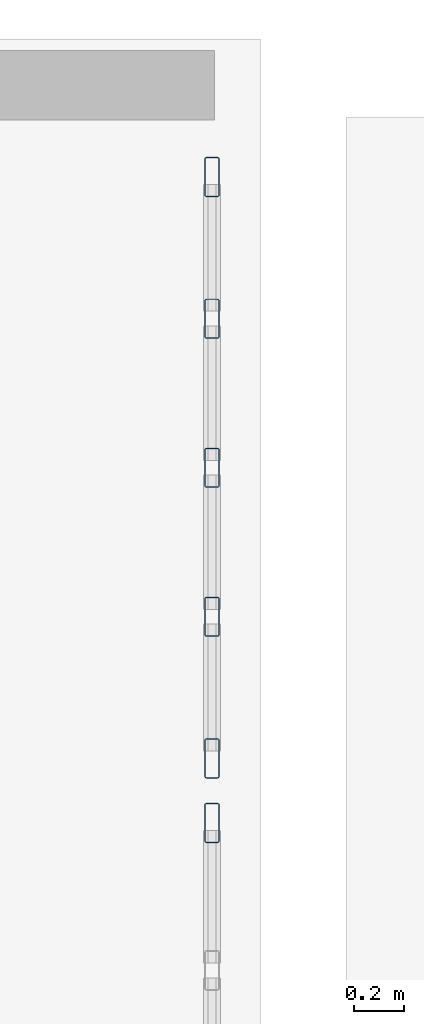
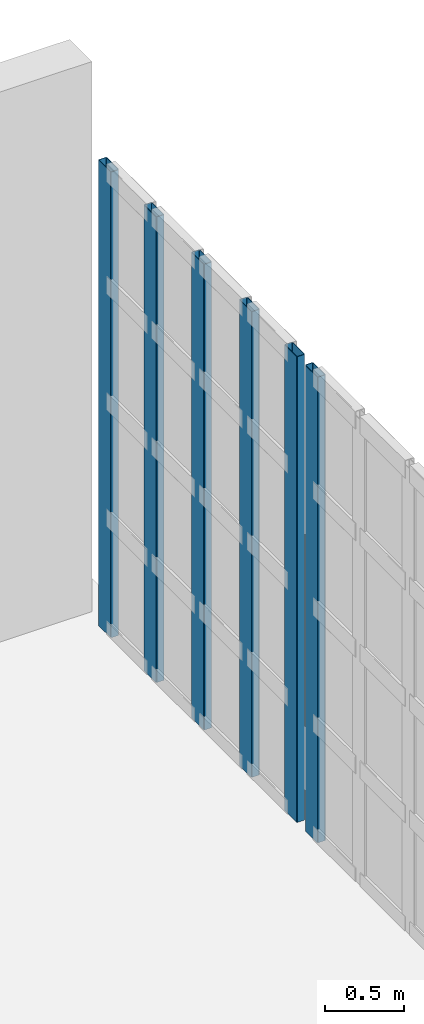
# One storey, part 18 of 56: 6 members, 2 elements without a shape of their own.
"""IFC4 building model written with IfcOpenShell, lengths in metres."""

from ifc_helpers import new_model, si_unit, direction, frame, origin, origin_2d, place, context, subcontext, project, spatial, hollow_rectangle, extrude, material, material_profile, profile_set, type_object, element, aggregate, save


model = new_model("IFC4")

# Units and contexts
model_context = context("Model", 3, precision=1e-05, world=origin(), true_north=direction((0.0, 1.0)))
body_context = subcontext(model_context, "Body", "Model", "MODEL_VIEW")
ifc_project = project(units=[si_unit("LENGTHUNIT", "METRE"), si_unit("AREAUNIT", "SQUARE_METRE"), si_unit("VOLUMEUNIT", "CUBIC_METRE"), si_unit("PLANEANGLEUNIT", "RADIAN"), si_unit("MASSUNIT", "GRAM", prefix="KILO")], contexts=[model_context])

# Site, building, storey
site_placement = place(None, origin())
site = spatial("IfcSite", under=ifc_project, at=site_placement, CompositionType="ELEMENT")
building_placement = place(site_placement, origin())
building = spatial("IfcBuilding", under=site, at=building_placement, Name="Kaelora Sail Theatre", CompositionType="ELEMENT")
storey_placement = place(building_placement, frame((0.0, 0.0, 14.699951171875)))
storey = spatial("IfcBuildingStorey", under=building, at=storey_placement, Name="L03", CompositionType="ELEMENT", Elevation=14.699951171875)

# Curtain wall, member
ifc_material_1 = material(Name="Anodised aluminium and solar-control low-E IGU", Category="aluminium")
curtain_wall_type = type_object("IfcCurtainWallType", Name="ARC-CW-CW-BRG", PredefinedType="NOTDEFINED", material=ifc_material_1)
curtain_wall_1_placement = place(storey_placement, origin())
curtain_wall_1 = element("IfcCurtainWall", 1, at=curtain_wall_1_placement, inside=storey, type_object=curtain_wall_type, Name="Glazed Colonnade/Courtyard Curtain Wall FC1-STEP-E-L03-03", PredefinedType="NOTDEFINED")
ifc_material_2 = material(Name="Anodised aluminium 6063-T6", Category="aluminium")
ifc_material_profile = material_profile(ifc_material_2, hollow_rectangle(XDim=0.06005859375, YDim=0.159912109375, WallThickness=0.00390625, InnerFilletRadius=0.00390625, OuterFilletRadius=0.008056640625, at=origin_2d()), Name="ALU-MULL 60x160x4")
ifc_profile_set = profile_set([ifc_material_profile], Name="Anodised aluminium 6063-T6")
member_type = type_object("IfcMemberType", Name="ARC-MEM-ML-160", PredefinedType="MULLION", material=ifc_profile_set)
member_1_placement = place(storey_placement, frame((90.389892578125, 80.169921875, 0.0), z_axis=(0.0, 0.0, 1.0), x_axis=(-1.0, 0.0, 0.0)))
member_1 = element("IfcMember", 2, at=member_1_placement, type_object=member_type, Name="CW-BRG mullion 7", PredefinedType="MULLION", context=body_context, shape_type="SweptSolid", body=[
    extrude(hollow_rectangle(XDim=0.06005859375, YDim=0.159912109375, WallThickness=0.00390625, InnerFilletRadius=0.00390625, OuterFilletRadius=0.008056640625, at=origin_2d()), origin(), (0.0, 0.0, 1.0), 3.5771484375),
])
aggregate(curtain_wall_1, [member_1])

# Curtain wall, members
curtain_wall_2_placement = place(storey_placement, origin())
curtain_wall_2 = element("IfcCurtainWall", 3, at=curtain_wall_2_placement, inside=storey, type_object=curtain_wall_type, Name="Glazed Colonnade/Courtyard Curtain Wall FC1-STEP-E-L03-04", PredefinedType="NOTDEFINED")
member_2_placement = place(storey_placement, frame((90.389892578125, 80.429931640625, 0.0), z_axis=(0.0, 0.0, 1.0), x_axis=(-1.0, 0.0, 0.0)))
member_2 = element("IfcMember", 4, at=member_2_placement, type_object=member_type, Name="CW-BRG mullion 1", PredefinedType="MULLION", context=body_context, shape_type="SweptSolid", body=[
    extrude(hollow_rectangle(XDim=0.06005859375, YDim=0.159912109375, WallThickness=0.00390625, InnerFilletRadius=0.00390625, OuterFilletRadius=0.008056640625, at=origin_2d()), origin(), (0.0, 0.0, 1.0), 3.5771484375),
])
member_3_placement = place(storey_placement, frame((90.389892578125, 81.0, 0.0), z_axis=(0.0, 0.0, 1.0), x_axis=(-1.0, 0.0, 0.0)))
member_3 = element("IfcMember", 5, at=member_3_placement, type_object=member_type, Name="CW-BRG mullion 2", PredefinedType="MULLION", context=body_context, shape_type="SweptSolid", body=[
    extrude(hollow_rectangle(XDim=0.06005859375, YDim=0.159912109375, WallThickness=0.00390625, InnerFilletRadius=0.00390625, OuterFilletRadius=0.008056640625, at=origin_2d()), origin(), (0.0, 0.0, 1.0), 3.5771484375),
])
member_4_placement = place(storey_placement, frame((90.389892578125, 81.60009765625, 0.0), z_axis=(0.0, 0.0, 1.0), x_axis=(-1.0, 0.0, 0.0)))
member_4 = element("IfcMember", 6, at=member_4_placement, type_object=member_type, Name="CW-BRG mullion 3", PredefinedType="MULLION", context=body_context, shape_type="SweptSolid", body=[
    extrude(hollow_rectangle(XDim=0.06005859375, YDim=0.159912109375, WallThickness=0.00390625, InnerFilletRadius=0.00390625, OuterFilletRadius=0.008056640625, at=origin_2d()), origin(), (0.0, 0.0, 1.0), 3.5771484375),
])
member_5_placement = place(storey_placement, frame((90.389892578125, 82.199951171875, 0.0), z_axis=(0.0, 0.0, 1.0), x_axis=(-1.0, 0.0, 0.0)))
member_5 = element("IfcMember", 7, at=member_5_placement, type_object=member_type, Name="CW-BRG mullion 4", PredefinedType="MULLION", context=body_context, shape_type="SweptSolid", body=[
    extrude(hollow_rectangle(XDim=0.06005859375, YDim=0.159912109375, WallThickness=0.00390625, InnerFilletRadius=0.00390625, OuterFilletRadius=0.008056640625, at=origin_2d()), origin(), (0.0, 0.0, 1.0), 3.5771484375),
])
member_6_placement = place(storey_placement, frame((90.389892578125, 82.77001953125, 0.0), z_axis=(0.0, 0.0, 1.0), x_axis=(-1.0, 0.0, 0.0)))
member_6 = element("IfcMember", 8, at=member_6_placement, type_object=member_type, Name="CW-BRG mullion 5", PredefinedType="MULLION", context=body_context, shape_type="SweptSolid", body=[
    extrude(hollow_rectangle(XDim=0.06005859375, YDim=0.159912109375, WallThickness=0.00390625, InnerFilletRadius=0.00390625, OuterFilletRadius=0.008056640625, at=origin_2d()), origin(), (0.0, 0.0, 1.0), 3.5771484375),
])
aggregate(curtain_wall_2, [member_2, member_3, member_4, member_5, member_6])

save(model, "model.ifc")
